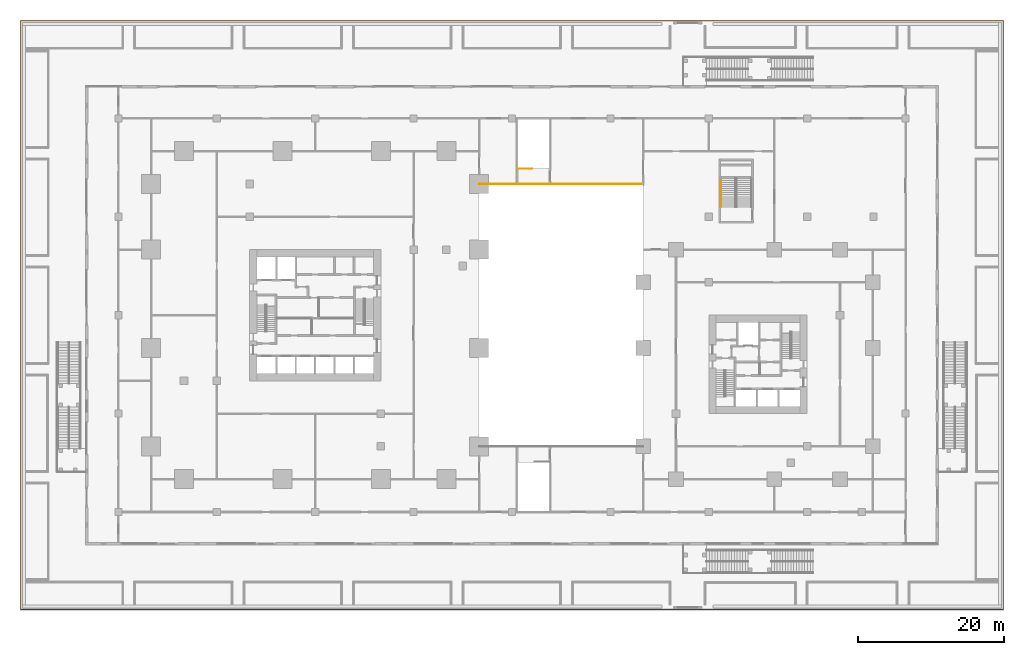
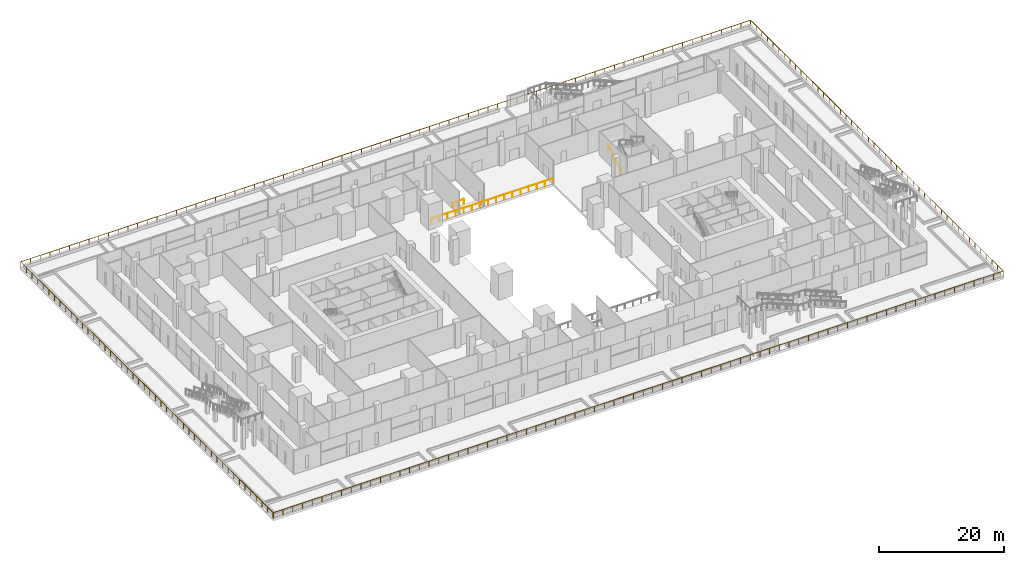
# One storey, part 45 of 49: 4 railings.
"""IFC4 building model written with IfcOpenShell, lengths in metres."""

from ifc_helpers import new_model, si_unit, direction, frame, origin, origin_2d, place, context, subcontext, project, spatial, circle, extrude, source, transform, mapped, material, type_object, element, save


model = new_model("IFC4")

# Units and contexts
model_context = context("Model", 3, precision=1e-05, world=origin(), true_north=direction((0.0, 1.0)))
body_context = subcontext(model_context, "Body", "Model", "MODEL_VIEW")
ifc_project = project(units=[si_unit("LENGTHUNIT", "METRE"), si_unit("AREAUNIT", "SQUARE_METRE"), si_unit("VOLUMEUNIT", "CUBIC_METRE"), si_unit("PLANEANGLEUNIT", "RADIAN"), si_unit("MASSUNIT", "GRAM", prefix="KILO")], contexts=[model_context])

# Site, building, storey
site_placement = place(None, origin())
site = spatial("IfcSite", under=ifc_project, at=site_placement, CompositionType="ELEMENT")
building_placement = place(site_placement, origin())
building = spatial("IfcBuilding", under=site, at=building_placement, Name="Altepetl Exchange Towers", CompositionType="ELEMENT")
storey_placement = place(building_placement, frame((0.0, 0.0, 11.5)))
storey = spatial("IfcBuildingStorey", under=building, at=storey_placement, Name="L02 Exchange podium", CompositionType="ELEMENT", Elevation=11.5)

# Railings
ifc_material_1 = material(Name="Steel S355", Category="steel")
railing_type_1 = type_object("IfcRailingType", Name="Guard 1100 steel posts and rail", PredefinedType="GUARDRAIL", material=ifc_material_1)
shared_shape_1 = source(origin(), body_context, "Body", "SweptSolid", [
    extrude(circle(Radius=0.02099609375, at=origin_2d()), origin(), (0.0, 0.0, 1.0), 1.052001953125),
])
railing_1_placement = place(storey_placement, frame((9.10009765625, 9.10009765625, 0.0)))
element("IfcRailing", 1, at=railing_1_placement, inside=storey, type_object=railing_type_1, Name="Terrace guard", PredefinedType="GUARDRAIL", context=body_context, shape_type="SweptSolid", body=[
    extrude(circle(Radius=0.02392578125, at=origin_2d()), frame((0.0, 0.0, 1.076171875), z_axis=(1.0, 0.0, 0.0), x_axis=(0.0, 1.0, 0.0)), (0.0, 0.0, 1.0), 134.7998046875),
    extrude(circle(Radius=0.02392578125, at=origin_2d()), frame((134.7998046875, 0.0, 1.076171875), z_axis=(0.0, 1.0, 0.0), x_axis=(-1.0, 0.0, 0.0)), (0.0, 0.0, 1.0), 80.7998046875),
    extrude(circle(Radius=0.02392578125, at=origin_2d()), frame((134.7998046875, 80.7998046875, 1.076171875), z_axis=(-1.0, 0.0, 0.0), x_axis=(0.0, -1.0, 0.0)), (0.0, 0.0, 1.0), 134.7998046875),
    extrude(circle(Radius=0.02392578125, at=origin_2d()), frame((0.0, 80.7998046875, 1.076171875), z_axis=(0.0, -1.0, 0.0), x_axis=(1.0, 0.0, 0.0)), (0.0, 0.0, 1.0), 80.699951171875),
    mapped(shared_shape_1, transform((0.0, 0.0, 0.0))),
    mapped(shared_shape_1, transform((1.79736328125, 0.0, 0.0))),
    mapped(shared_shape_1, transform((3.5947265625, 0.0, 0.0))),
    mapped(shared_shape_1, transform((5.39208984375, 0.0, 0.0))),
    mapped(shared_shape_1, transform((7.189208984375, 0.0, 0.0))),
    mapped(shared_shape_1, transform((8.986572265625, 0.0, 0.0))),
    mapped(shared_shape_1, transform((10.783935546875, 0.0, 0.0))),
    mapped(shared_shape_1, transform((12.581298828125, 0.0, 0.0))),
    mapped(shared_shape_1, transform((14.378662109375, 0.0, 0.0))),
    mapped(shared_shape_1, transform((16.176025390625, 0.0, 0.0))),
    mapped(shared_shape_1, transform((17.973388671875, 0.0, 0.0))),
    mapped(shared_shape_1, transform((19.770751953125, 0.0, 0.0))),
    mapped(shared_shape_1, transform((21.56787109375, 0.0, 0.0))),
    mapped(shared_shape_1, transform((23.365234375, 0.0, 0.0))),
    mapped(shared_shape_1, transform((25.16259765625, 0.0, 0.0))),
    mapped(shared_shape_1, transform((26.9599609375, 0.0, 0.0))),
    mapped(shared_shape_1, transform((28.75732421875, 0.0, 0.0))),
    mapped(shared_shape_1, transform((30.5546875, 0.0, 0.0))),
    mapped(shared_shape_1, transform((32.35205078125, 0.0, 0.0))),
    mapped(shared_shape_1, transform((34.149169921875, 0.0, 0.0))),
    mapped(shared_shape_1, transform((35.946533203125, 0.0, 0.0))),
    mapped(shared_shape_1, transform((37.743896484375, 0.0, 0.0))),
    mapped(shared_shape_1, transform((39.541259765625, 0.0, 0.0))),
    mapped(shared_shape_1, transform((41.338623046875, 0.0, 0.0))),
    mapped(shared_shape_1, transform((43.135986328125, 0.0, 0.0))),
    mapped(shared_shape_1, transform((44.933349609375, 0.0, 0.0))),
    mapped(shared_shape_1, transform((46.730712890625, 0.0, 0.0))),
    mapped(shared_shape_1, transform((48.52783203125, 0.0, 0.0))),
    mapped(shared_shape_1, transform((50.3251953125, 0.0, 0.0))),
    mapped(shared_shape_1, transform((52.12255859375, 0.0, 0.0))),
    mapped(shared_shape_1, transform((53.919921875, 0.0, 0.0))),
    mapped(shared_shape_1, transform((55.71728515625, 0.0, 0.0))),
    mapped(shared_shape_1, transform((57.5146484375, 0.0, 0.0))),
    mapped(shared_shape_1, transform((59.31201171875, 0.0, 0.0))),
    mapped(shared_shape_1, transform((61.109130859375, 0.0, 0.0))),
    mapped(shared_shape_1, transform((62.906494140625, 0.0, 0.0))),
    mapped(shared_shape_1, transform((64.703857421875, 0.0, 0.0))),
    mapped(shared_shape_1, transform((66.501220703125, 0.0, 0.0))),
    mapped(shared_shape_1, transform((68.298583984375, 0.0, 0.0))),
    mapped(shared_shape_1, transform((70.095947265625, 0.0, 0.0))),
    mapped(shared_shape_1, transform((71.893310546875, 0.0, 0.0))),
    mapped(shared_shape_1, transform((73.690673828125, 0.0, 0.0))),
    mapped(shared_shape_1, transform((75.48779296875, 0.0, 0.0))),
    mapped(shared_shape_1, transform((77.28515625, 0.0, 0.0))),
    mapped(shared_shape_1, transform((79.08251953125, 0.0, 0.0))),
    mapped(shared_shape_1, transform((80.8798828125, 0.0, 0.0))),
    mapped(shared_shape_1, transform((82.67724609375, 0.0, 0.0))),
    mapped(shared_shape_1, transform((84.474609375, 0.0, 0.0))),
    mapped(shared_shape_1, transform((86.27197265625, 0.0, 0.0))),
    mapped(shared_shape_1, transform((88.069091796875, 0.0, 0.0))),
    mapped(shared_shape_1, transform((89.866455078125, 0.0, 0.0))),
    mapped(shared_shape_1, transform((91.663818359375, 0.0, 0.0))),
    mapped(shared_shape_1, transform((93.461181640625, 0.0, 0.0))),
    mapped(shared_shape_1, transform((95.258544921875, 0.0, 0.0))),
    mapped(shared_shape_1, transform((97.055908203125, 0.0, 0.0))),
    mapped(shared_shape_1, transform((98.853271484375, 0.0, 0.0))),
    mapped(shared_shape_1, transform((100.650634765625, 0.0, 0.0))),
    mapped(shared_shape_1, transform((102.44775390625, 0.0, 0.0))),
    mapped(shared_shape_1, transform((104.2451171875, 0.0, 0.0))),
    mapped(shared_shape_1, transform((106.04248046875, 0.0, 0.0))),
    mapped(shared_shape_1, transform((107.83984375, 0.0, 0.0))),
    mapped(shared_shape_1, transform((109.63720703125, 0.0, 0.0))),
    mapped(shared_shape_1, transform((111.4345703125, 0.0, 0.0))),
    mapped(shared_shape_1, transform((113.23193359375, 0.0, 0.0))),
    mapped(shared_shape_1, transform((115.029052734375, 0.0, 0.0))),
    mapped(shared_shape_1, transform((116.826416015625, 0.0, 0.0))),
    mapped(shared_shape_1, transform((118.623779296875, 0.0, 0.0))),
    mapped(shared_shape_1, transform((120.421142578125, 0.0, 0.0))),
    mapped(shared_shape_1, transform((122.218505859375, 0.0, 0.0))),
    mapped(shared_shape_1, transform((124.015869140625, 0.0, 0.0))),
    mapped(shared_shape_1, transform((125.813232421875, 0.0, 0.0))),
    mapped(shared_shape_1, transform((127.610595703125, 0.0, 0.0))),
    mapped(shared_shape_1, transform((129.40771484375, 0.0, 0.0))),
    mapped(shared_shape_1, transform((131.205078125, 0.0, 0.0))),
    mapped(shared_shape_1, transform((133.00244140625, 0.0, 0.0))),
    mapped(shared_shape_1, transform((134.7998046875, 0.0, 0.0))),
    mapped(shared_shape_1, transform((134.7998046875, 1.795654296875, 0.0))),
    mapped(shared_shape_1, transform((134.7998046875, 3.591064453125, 0.0))),
    mapped(shared_shape_1, transform((134.7998046875, 5.38671875, 0.0))),
    mapped(shared_shape_1, transform((134.7998046875, 7.18212890625, 0.0))),
    mapped(shared_shape_1, transform((134.7998046875, 8.977783203125, 0.0))),
    mapped(shared_shape_1, transform((134.7998046875, 10.773193359375, 0.0))),
    mapped(shared_shape_1, transform((134.7998046875, 12.56884765625, 0.0))),
    mapped(shared_shape_1, transform((134.7998046875, 14.364501953125, 0.0))),
    mapped(shared_shape_1, transform((134.7998046875, 16.159912109375, 0.0))),
    mapped(shared_shape_1, transform((134.7998046875, 17.95556640625, 0.0))),
    mapped(shared_shape_1, transform((134.7998046875, 19.7509765625, 0.0))),
    mapped(shared_shape_1, transform((134.7998046875, 21.546630859375, 0.0))),
    mapped(shared_shape_1, transform((134.7998046875, 23.34228515625, 0.0))),
    mapped(shared_shape_1, transform((134.7998046875, 25.1376953125, 0.0))),
    mapped(shared_shape_1, transform((134.7998046875, 26.933349609375, 0.0))),
    mapped(shared_shape_1, transform((134.7998046875, 28.728759765625, 0.0))),
    mapped(shared_shape_1, transform((134.7998046875, 30.5244140625, 0.0))),
    mapped(shared_shape_1, transform((134.7998046875, 32.31982421875, 0.0))),
    mapped(shared_shape_1, transform((134.7998046875, 34.115478515625, 0.0))),
    mapped(shared_shape_1, transform((134.7998046875, 35.9111328125, 0.0))),
    mapped(shared_shape_1, transform((134.7998046875, 37.70654296875, 0.0))),
    mapped(shared_shape_1, transform((134.7998046875, 39.502197265625, 0.0))),
    mapped(shared_shape_1, transform((134.7998046875, 41.297607421875, 0.0))),
    mapped(shared_shape_1, transform((134.7998046875, 43.09326171875, 0.0))),
    mapped(shared_shape_1, transform((134.7998046875, 44.888671875, 0.0))),
    mapped(shared_shape_1, transform((134.7998046875, 46.684326171875, 0.0))),
    mapped(shared_shape_1, transform((134.7998046875, 48.47998046875, 0.0))),
    mapped(shared_shape_1, transform((134.7998046875, 50.275390625, 0.0))),
    mapped(shared_shape_1, transform((134.7998046875, 52.071044921875, 0.0))),
    mapped(shared_shape_1, transform((134.7998046875, 53.866455078125, 0.0))),
    mapped(shared_shape_1, transform((134.7998046875, 55.662109375, 0.0))),
    mapped(shared_shape_1, transform((134.7998046875, 57.45751953125, 0.0))),
    mapped(shared_shape_1, transform((134.7998046875, 59.253173828125, 0.0))),
    mapped(shared_shape_1, transform((134.7998046875, 61.048828125, 0.0))),
    mapped(shared_shape_1, transform((134.7998046875, 62.84423828125, 0.0))),
    mapped(shared_shape_1, transform((134.7998046875, 64.639892578125, 0.0))),
    mapped(shared_shape_1, transform((134.7998046875, 66.435302734375, 0.0))),
    mapped(shared_shape_1, transform((134.7998046875, 68.23095703125, 0.0))),
    mapped(shared_shape_1, transform((134.7998046875, 70.026611328125, 0.0))),
    mapped(shared_shape_1, transform((134.7998046875, 71.822021484375, 0.0))),
    mapped(shared_shape_1, transform((134.7998046875, 73.61767578125, 0.0))),
    mapped(shared_shape_1, transform((134.7998046875, 75.4130859375, 0.0))),
    mapped(shared_shape_1, transform((134.7998046875, 77.208740234375, 0.0))),
    mapped(shared_shape_1, transform((134.7998046875, 79.004150390625, 0.0))),
    mapped(shared_shape_1, transform((134.7998046875, 80.7998046875, 0.0))),
    mapped(shared_shape_1, transform((133.00244140625, 80.7998046875, 0.0))),
    mapped(shared_shape_1, transform((131.205078125, 80.7998046875, 0.0))),
    mapped(shared_shape_1, transform((129.40771484375, 80.7998046875, 0.0))),
    mapped(shared_shape_1, transform((127.610595703125, 80.7998046875, 0.0))),
    mapped(shared_shape_1, transform((125.813232421875, 80.7998046875, 0.0))),
    mapped(shared_shape_1, transform((124.015869140625, 80.7998046875, 0.0))),
    mapped(shared_shape_1, transform((122.218505859375, 80.7998046875, 0.0))),
    mapped(shared_shape_1, transform((120.421142578125, 80.7998046875, 0.0))),
    mapped(shared_shape_1, transform((118.623779296875, 80.7998046875, 0.0))),
    mapped(shared_shape_1, transform((116.826416015625, 80.7998046875, 0.0))),
    mapped(shared_shape_1, transform((115.029052734375, 80.7998046875, 0.0))),
    mapped(shared_shape_1, transform((113.23193359375, 80.7998046875, 0.0))),
    mapped(shared_shape_1, transform((111.4345703125, 80.7998046875, 0.0))),
    mapped(shared_shape_1, transform((109.63720703125, 80.7998046875, 0.0))),
    mapped(shared_shape_1, transform((107.83984375, 80.7998046875, 0.0))),
    mapped(shared_shape_1, transform((106.04248046875, 80.7998046875, 0.0))),
    mapped(shared_shape_1, transform((104.2451171875, 80.7998046875, 0.0))),
    mapped(shared_shape_1, transform((102.44775390625, 80.7998046875, 0.0))),
    mapped(shared_shape_1, transform((100.650634765625, 80.7998046875, 0.0))),
    mapped(shared_shape_1, transform((98.853271484375, 80.7998046875, 0.0))),
    mapped(shared_shape_1, transform((97.055908203125, 80.7998046875, 0.0))),
    mapped(shared_shape_1, transform((95.258544921875, 80.7998046875, 0.0))),
    mapped(shared_shape_1, transform((93.461181640625, 80.7998046875, 0.0))),
    mapped(shared_shape_1, transform((91.663818359375, 80.7998046875, 0.0))),
    mapped(shared_shape_1, transform((89.866455078125, 80.7998046875, 0.0))),
    mapped(shared_shape_1, transform((88.069091796875, 80.7998046875, 0.0))),
    mapped(shared_shape_1, transform((86.27197265625, 80.7998046875, 0.0))),
    mapped(shared_shape_1, transform((84.474609375, 80.7998046875, 0.0))),
    mapped(shared_shape_1, transform((82.67724609375, 80.7998046875, 0.0))),
    mapped(shared_shape_1, transform((80.8798828125, 80.7998046875, 0.0))),
    mapped(shared_shape_1, transform((79.08251953125, 80.7998046875, 0.0))),
    mapped(shared_shape_1, transform((77.28515625, 80.7998046875, 0.0))),
    mapped(shared_shape_1, transform((75.48779296875, 80.7998046875, 0.0))),
    mapped(shared_shape_1, transform((73.690673828125, 80.7998046875, 0.0))),
    mapped(shared_shape_1, transform((71.893310546875, 80.7998046875, 0.0))),
    mapped(shared_shape_1, transform((70.095947265625, 80.7998046875, 0.0))),
    mapped(shared_shape_1, transform((68.298583984375, 80.7998046875, 0.0))),
    mapped(shared_shape_1, transform((66.501220703125, 80.7998046875, 0.0))),
    mapped(shared_shape_1, transform((64.703857421875, 80.7998046875, 0.0))),
    mapped(shared_shape_1, transform((62.906494140625, 80.7998046875, 0.0))),
    mapped(shared_shape_1, transform((61.109130859375, 80.7998046875, 0.0))),
    mapped(shared_shape_1, transform((59.31201171875, 80.7998046875, 0.0))),
    mapped(shared_shape_1, transform((57.5146484375, 80.7998046875, 0.0))),
    mapped(shared_shape_1, transform((55.71728515625, 80.7998046875, 0.0))),
    mapped(shared_shape_1, transform((53.919921875, 80.7998046875, 0.0))),
    mapped(shared_shape_1, transform((52.12255859375, 80.7998046875, 0.0))),
    mapped(shared_shape_1, transform((50.3251953125, 80.7998046875, 0.0))),
    mapped(shared_shape_1, transform((48.52783203125, 80.7998046875, 0.0))),
    mapped(shared_shape_1, transform((46.730712890625, 80.7998046875, 0.0))),
    mapped(shared_shape_1, transform((44.933349609375, 80.7998046875, 0.0))),
    mapped(shared_shape_1, transform((43.135986328125, 80.7998046875, 0.0))),
    mapped(shared_shape_1, transform((41.338623046875, 80.7998046875, 0.0))),
    mapped(shared_shape_1, transform((39.541259765625, 80.7998046875, 0.0))),
    mapped(shared_shape_1, transform((37.743896484375, 80.7998046875, 0.0))),
    mapped(shared_shape_1, transform((35.946533203125, 80.7998046875, 0.0))),
    mapped(shared_shape_1, transform((34.149169921875, 80.7998046875, 0.0))),
    mapped(shared_shape_1, transform((32.35205078125, 80.7998046875, 0.0))),
    mapped(shared_shape_1, transform((30.5546875, 80.7998046875, 0.0))),
    mapped(shared_shape_1, transform((28.75732421875, 80.7998046875, 0.0))),
    mapped(shared_shape_1, transform((26.9599609375, 80.7998046875, 0.0))),
    mapped(shared_shape_1, transform((25.16259765625, 80.7998046875, 0.0))),
    mapped(shared_shape_1, transform((23.365234375, 80.7998046875, 0.0))),
    mapped(shared_shape_1, transform((21.56787109375, 80.7998046875, 0.0))),
    mapped(shared_shape_1, transform((19.770751953125, 80.7998046875, 0.0))),
    mapped(shared_shape_1, transform((17.973388671875, 80.7998046875, 0.0))),
    mapped(shared_shape_1, transform((16.176025390625, 80.7998046875, 0.0))),
    mapped(shared_shape_1, transform((14.378662109375, 80.7998046875, 0.0))),
    mapped(shared_shape_1, transform((12.581298828125, 80.7998046875, 0.0))),
    mapped(shared_shape_1, transform((10.783935546875, 80.7998046875, 0.0))),
    mapped(shared_shape_1, transform((8.986572265625, 80.7998046875, 0.0))),
    mapped(shared_shape_1, transform((7.189208984375, 80.7998046875, 0.0))),
    mapped(shared_shape_1, transform((5.39208984375, 80.7998046875, 0.0))),
    mapped(shared_shape_1, transform((3.5947265625, 80.7998046875, 0.0))),
    mapped(shared_shape_1, transform((1.79736328125, 80.7998046875, 0.0))),
    mapped(shared_shape_1, transform((0.0, 80.7998046875, 0.0))),
    mapped(shared_shape_1, transform((0.0, 79.006591796875, 0.0))),
    mapped(shared_shape_1, transform((0.0, 77.213134765625, 0.0))),
    mapped(shared_shape_1, transform((0.0, 75.419921875, 0.0))),
    mapped(shared_shape_1, transform((0.0, 73.62646484375, 0.0))),
    mapped(shared_shape_1, transform((0.0, 71.833251953125, 0.0))),
    mapped(shared_shape_1, transform((0.0, 70.039794921875, 0.0))),
    mapped(shared_shape_1, transform((0.0, 68.24658203125, 0.0))),
    mapped(shared_shape_1, transform((0.0, 66.453125, 0.0))),
    mapped(shared_shape_1, transform((0.0, 64.659912109375, 0.0))),
    mapped(shared_shape_1, transform((0.0, 62.866455078125, 0.0))),
    mapped(shared_shape_1, transform((0.0, 61.0732421875, 0.0))),
    mapped(shared_shape_1, transform((0.0, 59.27978515625, 0.0))),
    mapped(shared_shape_1, transform((0.0, 57.486572265625, 0.0))),
    mapped(shared_shape_1, transform((0.0, 55.693115234375, 0.0))),
    mapped(shared_shape_1, transform((0.0, 53.89990234375, 0.0))),
    mapped(shared_shape_1, transform((0.0, 52.1064453125, 0.0))),
    mapped(shared_shape_1, transform((0.0, 50.313232421875, 0.0))),
    mapped(shared_shape_1, transform((0.0, 48.519775390625, 0.0))),
    mapped(shared_shape_1, transform((0.0, 46.7265625, 0.0))),
    mapped(shared_shape_1, transform((0.0, 44.93310546875, 0.0))),
    mapped(shared_shape_1, transform((0.0, 43.139892578125, 0.0))),
    mapped(shared_shape_1, transform((0.0, 41.346435546875, 0.0))),
    mapped(shared_shape_1, transform((0.0, 39.55322265625, 0.0))),
    mapped(shared_shape_1, transform((0.0, 37.759765625, 0.0))),
    mapped(shared_shape_1, transform((0.0, 35.966552734375, 0.0))),
    mapped(shared_shape_1, transform((0.0, 34.173095703125, 0.0))),
    mapped(shared_shape_1, transform((0.0, 32.3798828125, 0.0))),
    mapped(shared_shape_1, transform((0.0, 30.58642578125, 0.0))),
    mapped(shared_shape_1, transform((0.0, 28.793212890625, 0.0))),
    mapped(shared_shape_1, transform((0.0, 26.999755859375, 0.0))),
    mapped(shared_shape_1, transform((0.0, 25.20654296875, 0.0))),
    mapped(shared_shape_1, transform((0.0, 23.4130859375, 0.0))),
    mapped(shared_shape_1, transform((0.0, 21.619873046875, 0.0))),
    mapped(shared_shape_1, transform((0.0, 19.826416015625, 0.0))),
    mapped(shared_shape_1, transform((0.0, 18.033203125, 0.0))),
    mapped(shared_shape_1, transform((0.0, 16.23974609375, 0.0))),
    mapped(shared_shape_1, transform((0.0, 14.446533203125, 0.0))),
    mapped(shared_shape_1, transform((0.0, 12.653076171875, 0.0))),
    mapped(shared_shape_1, transform((0.0, 10.85986328125, 0.0))),
    mapped(shared_shape_1, transform((0.0, 9.06640625, 0.0))),
    mapped(shared_shape_1, transform((0.0, 7.273193359375, 0.0))),
    mapped(shared_shape_1, transform((0.0, 5.479736328125, 0.0))),
    mapped(shared_shape_1, transform((0.0, 3.6865234375, 0.0))),
    mapped(shared_shape_1, transform((0.0, 1.89306640625, 0.0))),
    mapped(shared_shape_1, transform((0.0, 0.099853515625, 0.0))),
])
ifc_material_2 = material(Name="Laminated glass and steel", Category="steel")
railing_type_2 = type_object("IfcRailingType", Name="Hall gallery guard 1100", PredefinedType="GUARDRAIL", material=ifc_material_2)
shared_shape_2 = source(origin(), body_context, "Body", "SweptSolid", [
    extrude(circle(Radius=0.02001953125, at=origin_2d()), origin(), (0.0, 0.0, 1.0), 1.050048828125),
])
railing_2_placement = place(storey_placement, frame((77.199951171875, 69.60009765625, 0.0)))
element("IfcRailing", 2, at=railing_2_placement, inside=storey, type_object=railing_type_2, Name="rail:P:L02:PX2top", PredefinedType="GUARDRAIL", context=body_context, shape_type="SweptSolid", body=[
    extrude(circle(Radius=0.02490234375, at=origin_2d()), frame((0.0, 0.0, 1.0751953125), z_axis=(1.0, 0.0, 0.0), x_axis=(0.0, 1.0, 0.0)), (0.0, 0.0, 1.0), 2.025146484375),
    mapped(shared_shape_2, transform((0.0, 0.0, 0.0))),
    mapped(shared_shape_2, transform((1.0126953125, 0.0, 0.0))),
    mapped(shared_shape_2, transform((2.025146484375, 0.0, 0.0))),
])
railing_3_placement = place(storey_placement, frame((72.0, 67.5, 0.0)))
element("IfcRailing", 3, at=railing_3_placement, inside=storey, type_object=railing_type_2, Name="rail:P:L02:hallN", PredefinedType="GUARDRAIL", context=body_context, shape_type="SweptSolid", body=[
    extrude(circle(Radius=0.02490234375, at=origin_2d()), frame((0.0, 0.0, 1.0751953125), z_axis=(1.0, 0.0, 0.0), x_axis=(0.0, 1.0, 0.0)), (0.0, 0.0, 1.0), 22.5),
    mapped(shared_shape_2, transform((0.0, 0.0, 0.0))),
    mapped(shared_shape_2, transform((1.5, 0.0, 0.0))),
    mapped(shared_shape_2, transform((3.0, 0.0, 0.0))),
    mapped(shared_shape_2, transform((4.5, 0.0, 0.0))),
    mapped(shared_shape_2, transform((6.0, 0.0, 0.0))),
    mapped(shared_shape_2, transform((7.5, 0.0, 0.0))),
    mapped(shared_shape_2, transform((9.0, 0.0, 0.0))),
    mapped(shared_shape_2, transform((10.5, 0.0, 0.0))),
    mapped(shared_shape_2, transform((12.0, 0.0, 0.0))),
    mapped(shared_shape_2, transform((13.5, 0.0, 0.0))),
    mapped(shared_shape_2, transform((15.0, 0.0, 0.0))),
    mapped(shared_shape_2, transform((16.5, 0.0, 0.0))),
    mapped(shared_shape_2, transform((18.0, 0.0, 0.0))),
    mapped(shared_shape_2, transform((19.5, 0.0, 0.0))),
    mapped(shared_shape_2, transform((21.0, 0.0, 0.0))),
    mapped(shared_shape_2, transform((22.5, 0.0, 0.0))),
])
ifc_material_3 = material(Name="Stainless steel", Category="steel")
railing_type_3 = type_object("IfcRailingType", Name="Stair handrail 900", PredefinedType="HANDRAIL", material=ifc_material_3)
shared_shape_3 = source(origin(), body_context, "Body", "SweptSolid", [
    extrude(circle(Radius=0.02001953125, at=origin_2d()), origin(), (0.0, 0.0, 1.0), 0.849853515625),
])
railing_4_placement = place(storey_placement, frame((105.14990234375, 64.35009765625, 0.166748046875)))
element("IfcRailing", 4, at=railing_4_placement, inside=storey, type_object=railing_type_3, Name="rail:P:L02:PY1:1a", PredefinedType="HANDRAIL", context=body_context, shape_type="SweptSolid", body=[
    extrude(circle(Radius=0.02490234375, at=origin_2d()), frame((0.0, 0.0, 0.875), z_axis=(0.0, 0.859296244711, 0.511478214419), x_axis=(-1.0, 0.0, 0.0)), (0.0, 0.0, 1.0), 4.561767578125),
    mapped(shared_shape_3, transform((0.0, 0.0, 0.0))),
    mapped(shared_shape_3, transform((0.0, 1.9599609375, 1.16650390625))),
    mapped(shared_shape_3, transform((0.0, 3.919921875, 2.333251953125))),
])

save(model, "model.ifc")
